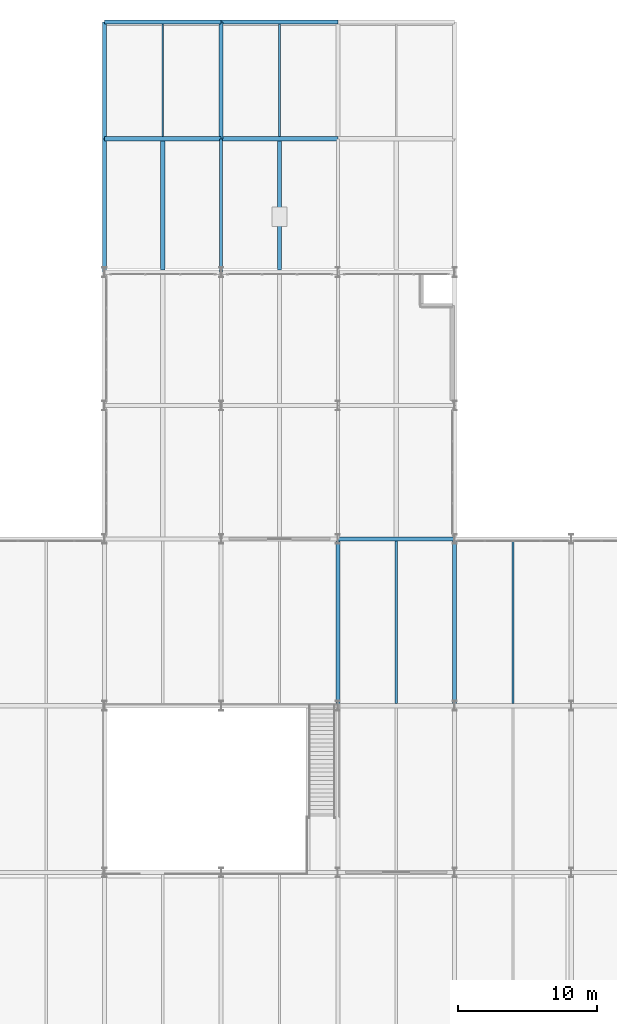
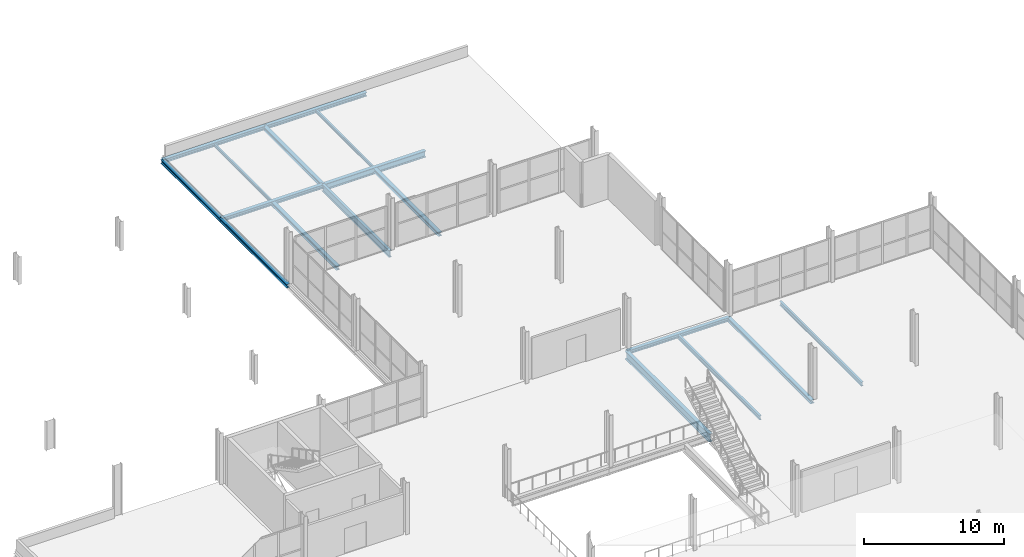
# One storey, part 56 of 113: 17 beams.
"""IFC4 building model written with IfcOpenShell, lengths in metres."""

import ifcopenshell
import ifcopenshell.guid

model = None  # the IFC model being written
_history = None  # IfcOwnerHistory: only IFC2X3 demands one
_inside = {}  # id of a spatial element -> (the spatial element, [elements in it])
_under = {}  # id of a project, library or spatial element -> (it, [spatial elements below it])
_declared = {}  # id of a project -> (the project, [libraries it declares])
_typed = {}  # id of a type object -> (the type object, [elements of that type])
_made_of = {}  # id of a material, layer set ... -> (it, [elements and type objects made of it])


def new_model(schema):
    """Start an empty IFC model of exactly this schema.

    Asked for "IFC4X3", IfcOpenShell would pick the latest addendum, in which some entities
    have other attributes; the version numbers below select the first issue.
    IFC2X3 requires an IfcOwnerHistory on every rooted entity: one is made here for all.
    """
    global model, _history
    if schema == "IFC4X3":
        model = ifcopenshell.file(schema_version=(4, 3, 0, 0))
    else:
        model = ifcopenshell.file(schema=schema)
    _inside.clear()
    _under.clear()
    _declared.clear()
    _typed.clear()
    _made_of.clear()
    _history = None
    if model.schema == "IFC2X3":
        org = make("IfcOrganization", Name="unknown")
        user = make(
            "IfcPersonAndOrganization",
            ThePerson=make("IfcPerson", FamilyName="unknown"),
            TheOrganization=org,
        )
        app = make(
            "IfcApplication",
            ApplicationDeveloper=org,
            Version="unknown",
            ApplicationFullName="unknown",
            ApplicationIdentifier="unknown",
        )
        _history = make(
            "IfcOwnerHistory",
            OwningUser=user,
            OwningApplication=app,
            ChangeAction="ADDED",
            CreationDate=0,
        )
    return model


def make(cls, **values):
    """One entity of the class cls with the attributes given. An attribute that is None is left unset."""
    return model.create_entity(
        cls, **{name: value for name, value in values.items() if value is not None}
    )


def rooted(cls, **values):
    """An entity with a GlobalId (a new one), such as an element, a storey or a relation."""
    return make(cls, GlobalId=ifcopenshell.guid.new(), OwnerHistory=_history, **values)


def si_unit(unit_type, name, prefix=None):
    """IfcSIUnit, for example si_unit("LENGTHUNIT", "METRE", prefix="MILLI")."""
    return make("IfcSIUnit", UnitType=unit_type, Prefix=prefix, Name=name)


def assignment(units):
    """IfcUnitAssignment: the units of a project."""
    return None if units is None else make("IfcUnitAssignment", Units=units)


def point(xyz):
    """IfcCartesianPoint."""
    return None if xyz is None else make("IfcCartesianPoint", Coordinates=xyz)


def direction(xyz):
    """IfcDirection."""
    return None if xyz is None else make("IfcDirection", DirectionRatios=xyz)


def frame(location, z_axis=None, x_axis=None):
    """IfcAxis2Placement3D, a coordinate frame: its origin and axes. An axis left out is left unset."""
    return make(
        "IfcAxis2Placement3D",
        Location=point(location),
        Axis=direction(z_axis),
        RefDirection=direction(x_axis),
    )


def frame_2d(location, x_axis=None):
    """IfcAxis2Placement2D, a coordinate frame in the plane: its origin and x axis."""
    return make(
        "IfcAxis2Placement2D", Location=point(location), RefDirection=direction(x_axis)
    )


def origin():
    """The frame at (0, 0, 0) with its axes left unset."""
    return frame((0.0, 0.0, 0.0))


def origin_2d():
    """The frame at (0, 0) in the plane with its x axis left unset."""
    return frame_2d((0.0, 0.0))


def place(relative_to, where):
    """IfcLocalPlacement: puts the frame where relative to a parent placement (None: the world)."""
    return make(
        "IfcLocalPlacement", PlacementRelTo=relative_to, RelativePlacement=where
    )


def context(
    kind, dimensions, precision=None, world=None, true_north=None, identifier=None
):
    """IfcGeometricRepresentationContext, for example the 3D "Model" context."""
    return make(
        "IfcGeometricRepresentationContext",
        ContextIdentifier=identifier,
        ContextType=kind,
        CoordinateSpaceDimension=dimensions,
        Precision=precision,
        WorldCoordinateSystem=world,
        TrueNorth=true_north,
    )


def subcontext(parent, identifier, kind, view, scale=None):
    """IfcGeometricRepresentationSubContext, for example "Body" below "Model"."""
    return make(
        "IfcGeometricRepresentationSubContext",
        ContextIdentifier=identifier,
        ContextType=kind,
        ParentContext=parent,
        TargetScale=scale,
        TargetView=view,
    )


def project(units=None, contexts=None):
    """IfcProject with its units and contexts."""
    return rooted(
        "IfcProject",
        Name="project",
        RepresentationContexts=contexts,
        UnitsInContext=assignment(units),
    )


def spatial(cls, under=None, at=None, **own):
    """A site, building, storey or space (cls), placed at a placement, below another one or the project."""
    s = rooted(cls, ObjectPlacement=at, **own)
    if under is not None:
        _under.setdefault(under.id(), (under, []))[1].append(s)
    return s


def profile(cls, at=None, kind="AREA", **sizes):
    """A parametric profile (cls). Its sizes go by their IFC names, for example OverallWidth=200.0."""
    return make(cls, ProfileType=kind, Position=at, **sizes)


def i_section(**sizes):
    """IfcIShapeProfileDef."""
    return profile("IfcIShapeProfileDef", **sizes)


def extrude(swept, where, along, depth):
    """IfcExtrudedAreaSolid: the profile swept, set in the frame where, extruded along a direction by depth."""
    return make(
        "IfcExtrudedAreaSolid",
        SweptArea=swept,
        Position=where,
        ExtrudedDirection=direction(along),
        Depth=depth,
    )


def shape(context_of_items, identifier, shape_type, items):
    """IfcShapeRepresentation: the items that make up one representation, for example the "Body"."""
    return make(
        "IfcShapeRepresentation",
        ContextOfItems=context_of_items,
        RepresentationIdentifier=identifier,
        RepresentationType=shape_type,
        Items=items,
    )


def material(Name=None, Category=None):
    """IfcMaterial."""
    return make("IfcMaterial", Name=Name, Category=Category)


def material_profile(
    of_material, cross_section, Name=None, Category=None, Priority=None
):
    """IfcMaterialProfile: a cross section and its material."""
    return make(
        "IfcMaterialProfile",
        Name=Name,
        Material=of_material,
        Profile=cross_section,
        Priority=Priority,
        Category=Category,
    )


def profile_set(profiles, Name=None, composite=None):
    """IfcMaterialProfileSet."""
    return make(
        "IfcMaterialProfileSet",
        Name=Name,
        MaterialProfiles=profiles,
        CompositeProfile=composite,
    )


def made_of(thing, what):
    """Note that an element or type object is made of a material, layer set ...; save() writes the relation."""
    if what is not None:
        _made_of.setdefault(what.id(), (what, []))[1].append(thing)
    return thing


def type_object(cls, material=None, **own):
    """A type object (cls), such as IfcWallType, which elements share."""
    return made_of(rooted(cls, **own), material)


def element(
    cls,
    number,
    at=None,
    inside=None,
    cuts=None,
    type_object=None,
    material=None,
    context=None,
    identifier="Body",
    shape_type=None,
    held_by="IfcProductDefinitionShape",
    body=None,
    shapes=None,
    **own,
):
    """One element of the class cls, such as IfcWall. Its Tag is "e" and its number.

    at: its placement. inside: the storey or other place that contains it. cuts: it is an
    opening in that element (IfcRelVoidsElement). A single representation is given by context,
    identifier, shape_type and body (its items); several are given by shapes. held_by: the class
    of the entity that holds the representations. save() writes the other relations.
    """
    e = rooted(cls, Tag="e%d" % number, ObjectPlacement=at, **own)
    if body is not None:
        shapes = [shape(context, identifier, shape_type, body)]
    if shapes is not None:
        e.Representation = make(held_by, Representations=shapes)
    if inside is not None:
        _inside.setdefault(inside.id(), (inside, []))[1].append(e)
    if cuts is not None:
        rooted(
            "IfcRelVoidsElement", RelatingBuildingElement=cuts, RelatedOpeningElement=e
        )
    if type_object is not None:
        _typed.setdefault(type_object.id(), (type_object, []))[1].append(e)
    return made_of(e, material)


def aggregate(whole, parts):
    """IfcRelAggregates: a whole, such as a stair, and the parts it consists of."""
    return rooted("IfcRelAggregates", RelatingObject=whole, RelatedObjects=parts)


def save(model, path):
    """Write the relations noted so far, then the file.

    IfcRelAggregates (storeys below a building ...), IfcRelContainedInSpatialStructure (elements
    in a storey), IfcRelDefinesByType, IfcRelAssociatesMaterial and IfcRelDeclares: one each for
    every whole, place, type object, material and project.
    """
    for whole, parts in _under.values():
        aggregate(whole, parts)
    for where, things in _inside.values():
        rooted(
            "IfcRelContainedInSpatialStructure",
            RelatedElements=things,
            RelatingStructure=where,
        )
    for kind, things in _typed.values():
        rooted("IfcRelDefinesByType", RelatedObjects=things, RelatingType=kind)
    for what, things in _made_of.values():
        rooted("IfcRelAssociatesMaterial", RelatedObjects=things, RelatingMaterial=what)
    for by, libraries in _declared.values():
        rooted("IfcRelDeclares", RelatingContext=by, RelatedDefinitions=libraries)
    model.write(path)


model = new_model("IFC4")

# Units and contexts
model_context = context("Model", 3, precision=1e-05, world=origin(), true_north=direction((0.0, 1.0)))
body_context = subcontext(model_context, "Body", "Model", "MODEL_VIEW")
ifc_project = project(units=[si_unit("LENGTHUNIT", "METRE"), si_unit("AREAUNIT", "SQUARE_METRE"), si_unit("VOLUMEUNIT", "CUBIC_METRE"), si_unit("PLANEANGLEUNIT", "RADIAN"), si_unit("MASSUNIT", "GRAM", prefix="KILO")], contexts=[model_context])

# Site, building, storey
site_placement = place(None, origin())
site = spatial("IfcSite", under=ifc_project, at=site_placement, CompositionType="ELEMENT")
building_placement = place(site_placement, origin())
building = spatial("IfcBuilding", under=site, at=building_placement, Name="Veltarok Museum of Natural Sciences", CompositionType="ELEMENT")
storey_placement = place(building_placement, frame((0.0, 0.0, 8.39990234375)))
storey = spatial("IfcBuildingStorey", under=building, at=storey_placement, Name="L01", CompositionType="ELEMENT", Elevation=8.39990234375)

# Beams
ifc_material = material(Name="Steel S355J2", Category="steel")
ifc_material_profile_1 = material_profile(ifc_material, i_section(OverallWidth=0.300048828125, OverallDepth=0.330078125, WebThickness=0.009521484375, FlangeThickness=0.0166015625, FilletRadius=0.027099609375, at=origin_2d()), Name="HEA 340")
ifc_profile_set_1 = profile_set([ifc_material_profile_1], Name="Steel S355J2")
beam_type_1 = type_object("IfcBeamType", Name="Exhibition Floor Joist HEA 340", PredefinedType="JOIST", material=ifc_profile_set_1)
for number, where, z_axis, x_axis, name in (
    (1, (61.0, 91.347900390625, -0.414794921875), (0.0, 1.0, 0.0), (-1.0, 0.0, 0.0), "Secondary Joist BM-J08 L01 7-8/K-L.1"),
    (2, (69.39990234375, 91.347900390625, -0.414794921875), (0.0, 1.0, 0.0), (-1.0, 0.0, 0.0), "Secondary Joist BM-J08 L01 8-9/K-L.1"),
):
    element("IfcBeam", number, at=place(storey_placement, frame(where, z_axis=z_axis, x_axis=x_axis)), inside=storey, type_object=beam_type_1, Name=name, PredefinedType="JOIST", context=body_context, shape_type="SweptSolid", body=[
        extrude(i_section(OverallWidth=0.300048828125, OverallDepth=0.330078125, WebThickness=0.009521484375, FlangeThickness=0.0166015625, FilletRadius=0.027099609375, at=origin_2d()), origin(), (0.0, 0.0, 1.0), 9.30419921875),
    ])
ifc_material_profile_2 = material_profile(ifc_material, i_section(OverallWidth=0.300048828125, OverallDepth=0.550048828125, WebThickness=0.014892578125, FlangeThickness=0.029052734375, FilletRadius=0.027099609375, at=origin_2d()), Name="HEB 550")
ifc_profile_set_2 = profile_set([ifc_material_profile_2], Name="Steel S355J2")
beam_type_2 = type_object("IfcBeamType", Name="Gallery Girder HEB 550", PredefinedType="BEAM", material=ifc_profile_set_2)
beam_1_placement = place(storey_placement, frame((65.199951171875, 100.800048828125, -0.52490234375), z_axis=(1.0, 0.0, 0.0), x_axis=(0.0, 1.0, 0.0)))
element("IfcBeam", 3, at=beam_1_placement, inside=storey, type_object=beam_type_2, Name="Beam BM-G10 L01 8-9/L", PredefinedType="BEAM", context=body_context, shape_type="SweptSolid", body=[
    extrude(i_section(OverallWidth=0.300048828125, OverallDepth=0.550048828125, WebThickness=0.014892578125, FlangeThickness=0.029052734375, FilletRadius=0.027099609375, at=origin_2d()), origin(), (0.0, 0.0, 1.0), 8.400146484375),
])
ifc_material_profile_3 = material_profile(ifc_material, i_section(OverallWidth=0.169921875, OverallDepth=0.360107421875, WebThickness=0.008056640625, FlangeThickness=0.0126953125, FilletRadius=0.01806640625, at=origin_2d()), Name="IPE 360")
ifc_profile_set_3 = profile_set([ifc_material_profile_3], Name="Steel S355J2")
beam_type_3 = type_object("IfcBeamType", Name="Long-Bay Composite Joist IPE 360", PredefinedType="JOIST", material=ifc_profile_set_3)
for number, where, z_axis, x_axis, name in (
    (4, (77.800048828125, 60.14794921875, -0.429931640625), (0.0, 1.0, 0.0), (-1.0, 0.0, 0.0), "Secondary Joist BM-J01 L01 9-10/G-H.1"),
    (5, (86.199951171875, 60.14794921875, -0.429931640625), (0.0, 1.0, 0.0), (-1.0, 0.0, 0.0), "Secondary Joist BM-J01 L01 10-11/G-H.1"),
):
    element("IfcBeam", number, at=place(storey_placement, frame(where, z_axis=z_axis, x_axis=x_axis)), inside=storey, type_object=beam_type_3, Name=name, PredefinedType="JOIST", context=body_context, shape_type="SweptSolid", body=[
        extrude(i_section(OverallWidth=0.169921875, OverallDepth=0.360107421875, WebThickness=0.008056640625, FlangeThickness=0.0126953125, FilletRadius=0.01806640625, at=origin_2d()), origin(), (0.0, 0.0, 1.0), 11.7041015625),
    ])
ifc_material_profile_4 = material_profile(ifc_material, i_section(OverallWidth=0.300048828125, OverallDepth=0.699951171875, WebThickness=0.01708984375, FlangeThickness=0.031982421875, FilletRadius=0.027099609375, at=origin_2d()), Name="HEB 700")
ifc_profile_set_4 = profile_set([ifc_material_profile_4], Name="Steel S355J2")
beam_type_4 = type_object("IfcBeamType", Name="Long-Span Hall Girder HEB 700", PredefinedType="BEAM", material=ifc_profile_set_4)
beam_2_placement = place(storey_placement, frame((73.60009765625, 60.0, -0.599853515625), z_axis=(0.0, 1.0, 0.0), x_axis=(-1.0, 0.0, 0.0)))
element("IfcBeam", 6, at=beam_2_placement, inside=storey, type_object=beam_type_4, Name="Beam BM-G01 L01 9/G-H", PredefinedType="BEAM", context=body_context, shape_type="SweptSolid", body=[
    extrude(i_section(OverallWidth=0.300048828125, OverallDepth=0.699951171875, WebThickness=0.01708984375, FlangeThickness=0.031982421875, FilletRadius=0.027099609375, at=origin_2d()), origin(), (0.0, 0.0, 1.0), 12.0),
])
ifc_material_profile_5 = material_profile(ifc_material, i_section(OverallWidth=0.300048828125, OverallDepth=0.320068359375, WebThickness=0.011474609375, FlangeThickness=0.0205078125, FilletRadius=0.027099609375, at=origin_2d()), Name="HEB 320")
ifc_profile_set_5 = profile_set([ifc_material_profile_5], Name="Steel S355J2")
beam_type_5 = type_object("IfcBeamType", Name="Perimeter Sawtooth Spandrel HEB 320", PredefinedType="SPANDREL", material=ifc_profile_set_5)
for number, where, z_axis, x_axis, name in (
    (7, (73.60009765625, 72.0, -0.409912109375), (1.0, 0.0, 0.0), (0.0, 1.0, 0.0), "Beam BM-SP06 L01 9-10/H"),
    (8, (56.800048828125, 100.800048828125, -0.409912109375), (1.0, 0.0, 0.0), (0.0, 1.0, 0.0), "Beam BM-SP06 L01 7-8/L"),
    (9, (56.800048828125, 109.199951171875, -0.409912109375), (1.0, 0.0, 0.0), (0.0, 1.0, 0.0), "Beam BM-SP06 L01 7-8/M"),
):
    element("IfcBeam", number, at=place(storey_placement, frame(where, z_axis=z_axis, x_axis=x_axis)), inside=storey, type_object=beam_type_5, Name=name, PredefinedType="SPANDREL", context=body_context, shape_type="SweptSolid", body=[
        extrude(i_section(OverallWidth=0.300048828125, OverallDepth=0.320068359375, WebThickness=0.011474609375, FlangeThickness=0.0205078125, FilletRadius=0.027099609375, at=origin_2d()), origin(), (0.0, 0.0, 1.0), 8.39990234375),
    ])
beam_3_placement = place(storey_placement, frame((65.199951171875, 109.199951171875, -0.409912109375), z_axis=(1.0, 0.0, 0.0), x_axis=(0.0, 1.0, 0.0)))
element("IfcBeam", 10, at=beam_3_placement, inside=storey, type_object=beam_type_5, Name="Beam BM-SP06 L01 8-9/M", PredefinedType="SPANDREL", context=body_context, shape_type="SweptSolid", body=[
    extrude(i_section(OverallWidth=0.300048828125, OverallDepth=0.320068359375, WebThickness=0.011474609375, FlangeThickness=0.0205078125, FilletRadius=0.027099609375, at=origin_2d()), origin(), (0.0, 0.0, 1.0), 8.400146484375),
])
beam_4_placement = place(storey_placement, frame((56.800048828125, 91.199951171875, -0.409912109375), z_axis=(0.0, 1.0, 0.0), x_axis=(-1.0, 0.0, 0.0)))
element("IfcBeam", 11, at=beam_4_placement, inside=storey, type_object=beam_type_5, Name="Beam BM-SP06 L01 7/K-L", PredefinedType="SPANDREL", context=body_context, shape_type="SweptSolid", body=[
    extrude(i_section(OverallWidth=0.300048828125, OverallDepth=0.320068359375, WebThickness=0.011474609375, FlangeThickness=0.0205078125, FilletRadius=0.027099609375, at=origin_2d()), origin(), (0.0, 0.0, 1.0), 9.60009765625),
])
for number, where, z_axis, x_axis, name in (
    (12, (56.800048828125, 100.800048828125, -0.409912109375), (0.0, 1.0, 0.0), (-1.0, 0.0, 0.0), "Beam BM-SP06 L01 7/L-M"),
    (13, (65.199951171875, 100.800048828125, -0.409912109375), (0.0, 1.0, 0.0), (-1.0, 0.0, 0.0), "Beam BM-SP06 L01 8/L-M"),
):
    element("IfcBeam", number, at=place(storey_placement, frame(where, z_axis=z_axis, x_axis=x_axis)), inside=storey, type_object=beam_type_5, Name=name, PredefinedType="SPANDREL", context=body_context, shape_type="SweptSolid", body=[
        extrude(i_section(OverallWidth=0.300048828125, OverallDepth=0.320068359375, WebThickness=0.011474609375, FlangeThickness=0.0205078125, FilletRadius=0.027099609375, at=origin_2d()), origin(), (0.0, 0.0, 1.0), 8.39990234375),
    ])
beam_5_placement = place(storey_placement, frame((82.0, 60.0, -0.409912109375), z_axis=(0.0, 1.0, 0.0), x_axis=(-1.0, 0.0, 0.0)))
element("IfcBeam", 14, at=beam_5_placement, inside=storey, type_object=beam_type_5, Name="Beam BM-SP06 L01 10/G-H", PredefinedType="SPANDREL", context=body_context, shape_type="SweptSolid", body=[
    extrude(i_section(OverallWidth=0.300048828125, OverallDepth=0.320068359375, WebThickness=0.011474609375, FlangeThickness=0.0205078125, FilletRadius=0.027099609375, at=origin_2d()), origin(), (0.0, 0.0, 1.0), 12.0),
])
ifc_material_profile_6 = material_profile(ifc_material, i_section(OverallWidth=0.219970703125, OverallDepth=0.60009765625, WebThickness=0.011962890625, FlangeThickness=0.01904296875, FilletRadius=0.02392578125, at=origin_2d()), Name="IPE 600")
ifc_profile_set_6 = profile_set([ifc_material_profile_6], Name="Steel S355J2")
beam_type_6 = type_object("IfcBeamType", Name="Primary Museum Girder IPE 600", PredefinedType="BEAM", material=ifc_profile_set_6)
beam_6_placement = place(storey_placement, frame((65.199951171875, 91.199951171875, -0.5498046875), z_axis=(0.0, 1.0, 0.0), x_axis=(-1.0, 0.0, 0.0)))
element("IfcBeam", 15, at=beam_6_placement, inside=storey, type_object=beam_type_6, Name="Beam BM-G02 L01 8/K-L", PredefinedType="BEAM", context=body_context, shape_type="SweptSolid", body=[
    extrude(i_section(OverallWidth=0.219970703125, OverallDepth=0.60009765625, WebThickness=0.011962890625, FlangeThickness=0.01904296875, FilletRadius=0.02392578125, at=origin_2d()), origin(), (0.0, 0.0, 1.0), 9.60009765625),
])
ifc_material_profile_7 = material_profile(ifc_material, i_section(OverallWidth=0.135009765625, OverallDepth=0.27001953125, WebThickness=0.006591796875, FlangeThickness=0.01025390625, FilletRadius=0.014892578125, at=origin_2d()), Name="IPE 270")
ifc_profile_set_7 = profile_set([ifc_material_profile_7], Name="Steel S355J2")
beam_type_7 = type_object("IfcBeamType", Name="Short-Bay Composite Joist IPE 270", PredefinedType="JOIST", material=ifc_profile_set_7)
for number, where, z_axis, x_axis, name in (
    (16, (61.0, 100.947998046875, -0.385009765625), (0.0, 1.0, 0.0), (-1.0, 0.0, 0.0), "Secondary Joist BM-J04 L01 7-8/L-M.1"),
    (17, (69.39990234375, 100.947998046875, -0.385009765625), (0.0, 1.0, 0.0), (-1.0, 0.0, 0.0), "Secondary Joist BM-J04 L01 8-9/L-M.1"),
):
    element("IfcBeam", number, at=place(storey_placement, frame(where, z_axis=z_axis, x_axis=x_axis)), inside=storey, type_object=beam_type_7, Name=name, PredefinedType="JOIST", context=body_context, shape_type="SweptSolid", body=[
        extrude(i_section(OverallWidth=0.135009765625, OverallDepth=0.27001953125, WebThickness=0.006591796875, FlangeThickness=0.01025390625, FilletRadius=0.014892578125, at=origin_2d()), origin(), (0.0, 0.0, 1.0), 8.10400390625),
    ])

save(model, "model.ifc")
